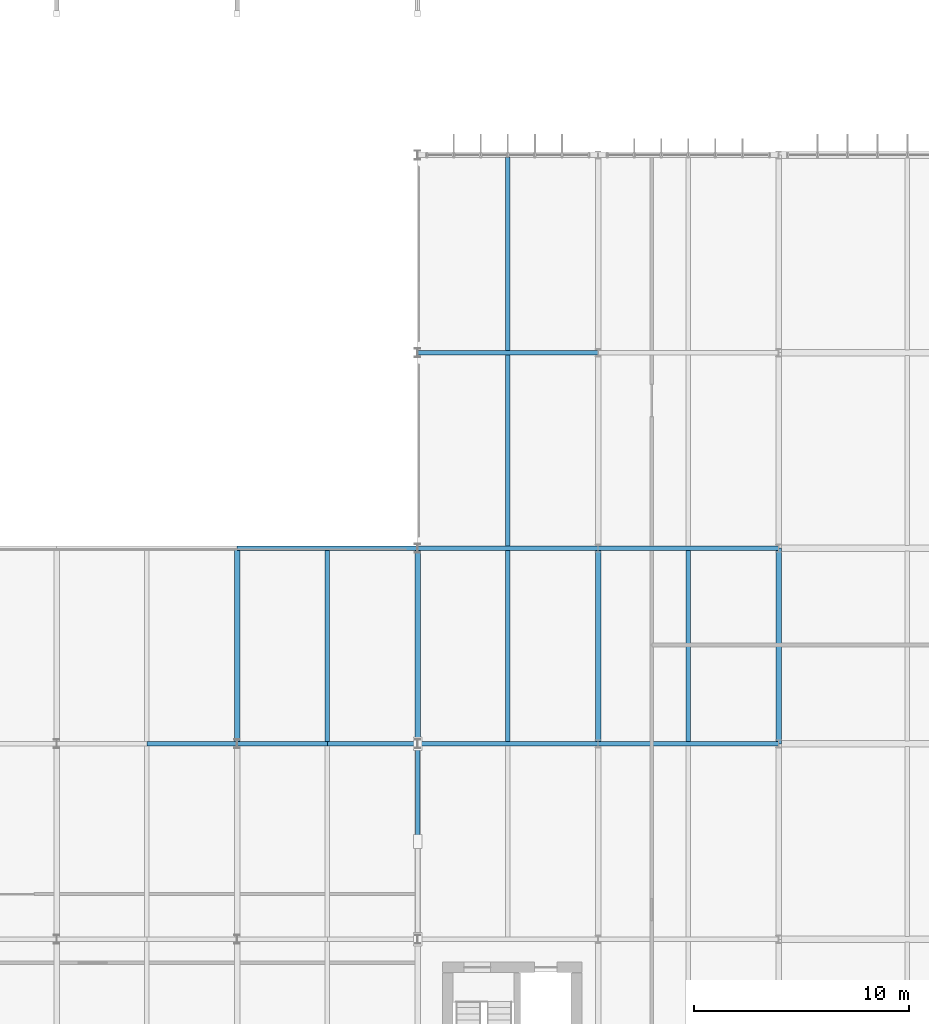
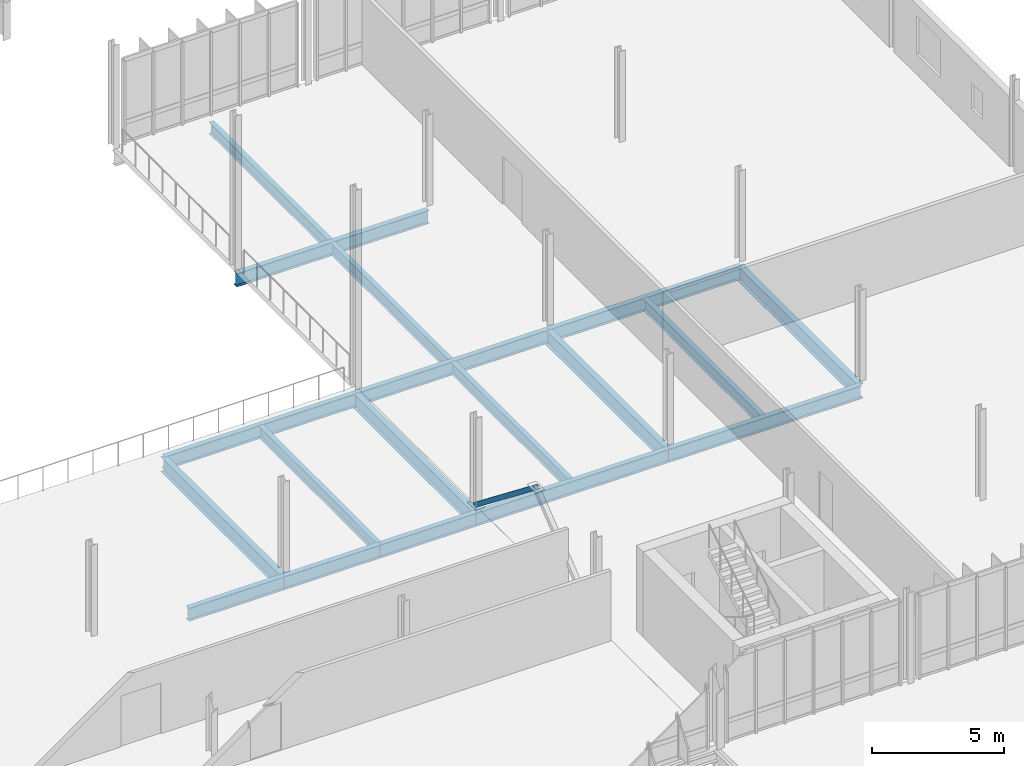
# One storey, part 66 of 107: 18 beams, 1 member.
"""IFC4 building model written with IfcOpenShell, lengths in metres."""

import ifcopenshell
import ifcopenshell.guid

model = None  # the IFC model being written
_history = None  # IfcOwnerHistory: only IFC2X3 demands one
_inside = {}  # id of a spatial element -> (the spatial element, [elements in it])
_under = {}  # id of a project, library or spatial element -> (it, [spatial elements below it])
_declared = {}  # id of a project -> (the project, [libraries it declares])
_typed = {}  # id of a type object -> (the type object, [elements of that type])
_made_of = {}  # id of a material, layer set ... -> (it, [elements and type objects made of it])


def new_model(schema):
    """Start an empty IFC model of exactly this schema.

    Asked for "IFC4X3", IfcOpenShell would pick the latest addendum, in which some entities
    have other attributes; the version numbers below select the first issue.
    IFC2X3 requires an IfcOwnerHistory on every rooted entity: one is made here for all.
    """
    global model, _history
    if schema == "IFC4X3":
        model = ifcopenshell.file(schema_version=(4, 3, 0, 0))
    else:
        model = ifcopenshell.file(schema=schema)
    _inside.clear()
    _under.clear()
    _declared.clear()
    _typed.clear()
    _made_of.clear()
    _history = None
    if model.schema == "IFC2X3":
        org = make("IfcOrganization", Name="unknown")
        user = make(
            "IfcPersonAndOrganization",
            ThePerson=make("IfcPerson", FamilyName="unknown"),
            TheOrganization=org,
        )
        app = make(
            "IfcApplication",
            ApplicationDeveloper=org,
            Version="unknown",
            ApplicationFullName="unknown",
            ApplicationIdentifier="unknown",
        )
        _history = make(
            "IfcOwnerHistory",
            OwningUser=user,
            OwningApplication=app,
            ChangeAction="ADDED",
            CreationDate=0,
        )
    return model


def make(cls, **values):
    """One entity of the class cls with the attributes given. An attribute that is None is left unset."""
    return model.create_entity(
        cls, **{name: value for name, value in values.items() if value is not None}
    )


def rooted(cls, **values):
    """An entity with a GlobalId (a new one), such as an element, a storey or a relation."""
    return make(cls, GlobalId=ifcopenshell.guid.new(), OwnerHistory=_history, **values)


def si_unit(unit_type, name, prefix=None):
    """IfcSIUnit, for example si_unit("LENGTHUNIT", "METRE", prefix="MILLI")."""
    return make("IfcSIUnit", UnitType=unit_type, Prefix=prefix, Name=name)


def derived_unit(unit_type, elements):
    """IfcDerivedUnit: a product of units, each with its exponent."""
    return make(
        "IfcDerivedUnit",
        Elements=[
            make("IfcDerivedUnitElement", Unit=unit, Exponent=power)
            for unit, power in elements
        ],
        UnitType=unit_type,
    )


def assignment(units):
    """IfcUnitAssignment: the units of a project."""
    return None if units is None else make("IfcUnitAssignment", Units=units)


def point(xyz):
    """IfcCartesianPoint."""
    return None if xyz is None else make("IfcCartesianPoint", Coordinates=xyz)


def direction(xyz):
    """IfcDirection."""
    return None if xyz is None else make("IfcDirection", DirectionRatios=xyz)


def frame(location, z_axis=None, x_axis=None):
    """IfcAxis2Placement3D, a coordinate frame: its origin and axes. An axis left out is left unset."""
    return make(
        "IfcAxis2Placement3D",
        Location=point(location),
        Axis=direction(z_axis),
        RefDirection=direction(x_axis),
    )


def frame_2d(location, x_axis=None):
    """IfcAxis2Placement2D, a coordinate frame in the plane: its origin and x axis."""
    return make(
        "IfcAxis2Placement2D", Location=point(location), RefDirection=direction(x_axis)
    )


def origin():
    """The frame at (0, 0, 0) with its axes left unset."""
    return frame((0.0, 0.0, 0.0))


def origin_2d():
    """The frame at (0, 0) in the plane with its x axis left unset."""
    return frame_2d((0.0, 0.0))


def place(relative_to, where):
    """IfcLocalPlacement: puts the frame where relative to a parent placement (None: the world)."""
    return make(
        "IfcLocalPlacement", PlacementRelTo=relative_to, RelativePlacement=where
    )


def context(
    kind, dimensions, precision=None, world=None, true_north=None, identifier=None
):
    """IfcGeometricRepresentationContext, for example the 3D "Model" context."""
    return make(
        "IfcGeometricRepresentationContext",
        ContextIdentifier=identifier,
        ContextType=kind,
        CoordinateSpaceDimension=dimensions,
        Precision=precision,
        WorldCoordinateSystem=world,
        TrueNorth=true_north,
    )


def subcontext(parent, identifier, kind, view, scale=None):
    """IfcGeometricRepresentationSubContext, for example "Body" below "Model"."""
    return make(
        "IfcGeometricRepresentationSubContext",
        ContextIdentifier=identifier,
        ContextType=kind,
        ParentContext=parent,
        TargetScale=scale,
        TargetView=view,
    )


def project(units=None, contexts=None):
    """IfcProject with its units and contexts."""
    return rooted(
        "IfcProject",
        Name="project",
        RepresentationContexts=contexts,
        UnitsInContext=assignment(units),
    )


def spatial(cls, under=None, at=None, **own):
    """A site, building, storey or space (cls), placed at a placement, below another one or the project."""
    s = rooted(cls, ObjectPlacement=at, **own)
    if under is not None:
        _under.setdefault(under.id(), (under, []))[1].append(s)
    return s


def profile(cls, at=None, kind="AREA", **sizes):
    """A parametric profile (cls). Its sizes go by their IFC names, for example OverallWidth=200.0."""
    return make(cls, ProfileType=kind, Position=at, **sizes)


def hollow_rectangle(**sizes):
    """IfcRectangleHollowProfileDef."""
    return profile("IfcRectangleHollowProfileDef", **sizes)


def i_section(**sizes):
    """IfcIShapeProfileDef."""
    return profile("IfcIShapeProfileDef", **sizes)


def extrude(swept, where, along, depth):
    """IfcExtrudedAreaSolid: the profile swept, set in the frame where, extruded along a direction by depth."""
    return make(
        "IfcExtrudedAreaSolid",
        SweptArea=swept,
        Position=where,
        ExtrudedDirection=direction(along),
        Depth=depth,
    )


def shape(context_of_items, identifier, shape_type, items):
    """IfcShapeRepresentation: the items that make up one representation, for example the "Body"."""
    return make(
        "IfcShapeRepresentation",
        ContextOfItems=context_of_items,
        RepresentationIdentifier=identifier,
        RepresentationType=shape_type,
        Items=items,
    )


def material(Name=None, Category=None):
    """IfcMaterial."""
    return make("IfcMaterial", Name=Name, Category=Category)


def material_profile(
    of_material, cross_section, Name=None, Category=None, Priority=None
):
    """IfcMaterialProfile: a cross section and its material."""
    return make(
        "IfcMaterialProfile",
        Name=Name,
        Material=of_material,
        Profile=cross_section,
        Priority=Priority,
        Category=Category,
    )


def profile_set(profiles, Name=None, composite=None):
    """IfcMaterialProfileSet."""
    return make(
        "IfcMaterialProfileSet",
        Name=Name,
        MaterialProfiles=profiles,
        CompositeProfile=composite,
    )


def made_of(thing, what):
    """Note that an element or type object is made of a material, layer set ...; save() writes the relation."""
    if what is not None:
        _made_of.setdefault(what.id(), (what, []))[1].append(thing)
    return thing


def type_object(cls, material=None, **own):
    """A type object (cls), such as IfcWallType, which elements share."""
    return made_of(rooted(cls, **own), material)


def element(
    cls,
    number,
    at=None,
    inside=None,
    cuts=None,
    type_object=None,
    material=None,
    context=None,
    identifier="Body",
    shape_type=None,
    held_by="IfcProductDefinitionShape",
    body=None,
    shapes=None,
    **own,
):
    """One element of the class cls, such as IfcWall. Its Tag is "e" and its number.

    at: its placement. inside: the storey or other place that contains it. cuts: it is an
    opening in that element (IfcRelVoidsElement). A single representation is given by context,
    identifier, shape_type and body (its items); several are given by shapes. held_by: the class
    of the entity that holds the representations. save() writes the other relations.
    """
    e = rooted(cls, Tag="e%d" % number, ObjectPlacement=at, **own)
    if body is not None:
        shapes = [shape(context, identifier, shape_type, body)]
    if shapes is not None:
        e.Representation = make(held_by, Representations=shapes)
    if inside is not None:
        _inside.setdefault(inside.id(), (inside, []))[1].append(e)
    if cuts is not None:
        rooted(
            "IfcRelVoidsElement", RelatingBuildingElement=cuts, RelatedOpeningElement=e
        )
    if type_object is not None:
        _typed.setdefault(type_object.id(), (type_object, []))[1].append(e)
    return made_of(e, material)


def aggregate(whole, parts):
    """IfcRelAggregates: a whole, such as a stair, and the parts it consists of."""
    return rooted("IfcRelAggregates", RelatingObject=whole, RelatedObjects=parts)


def save(model, path):
    """Write the relations noted so far, then the file.

    IfcRelAggregates (storeys below a building ...), IfcRelContainedInSpatialStructure (elements
    in a storey), IfcRelDefinesByType, IfcRelAssociatesMaterial and IfcRelDeclares: one each for
    every whole, place, type object, material and project.
    """
    for whole, parts in _under.values():
        aggregate(whole, parts)
    for where, things in _inside.values():
        rooted(
            "IfcRelContainedInSpatialStructure",
            RelatedElements=things,
            RelatingStructure=where,
        )
    for kind, things in _typed.values():
        rooted("IfcRelDefinesByType", RelatedObjects=things, RelatingType=kind)
    for what, things in _made_of.values():
        rooted("IfcRelAssociatesMaterial", RelatedObjects=things, RelatingMaterial=what)
    for by, libraries in _declared.values():
        rooted("IfcRelDeclares", RelatingContext=by, RelatedDefinitions=libraries)
    model.write(path)


model = new_model("IFC4")

# Units and contexts
model_context = context("Model", 3, precision=1e-05, world=origin(), true_north=direction((0.0, 1.0)))
body_context = subcontext(model_context, "Body", "Model", "MODEL_VIEW")
ifc_project = project(units=[si_unit("LENGTHUNIT", "METRE"), si_unit("AREAUNIT", "SQUARE_METRE"), si_unit("VOLUMEUNIT", "CUBIC_METRE"), si_unit("PLANEANGLEUNIT", "RADIAN"), si_unit("MASSUNIT", "GRAM", prefix="KILO"), derived_unit("THERMALTRANSMITTANCEUNIT", [(si_unit("MASSUNIT", "GRAM", prefix="KILO"), 1), (si_unit("TIMEUNIT", "SECOND"), -3), (si_unit("THERMODYNAMICTEMPERATUREUNIT", "KELVIN"), -1)])], contexts=[model_context])

# Site, building, storey
site_placement = place(None, origin())
site = spatial("IfcSite", under=ifc_project, at=site_placement, CompositionType="ELEMENT")
building_placement = place(site_placement, origin())
building = spatial("IfcBuilding", under=site, at=building_placement, Name="Makaiwela Harbour Ferry Terminal", CompositionType="ELEMENT")
storey_placement = place(building_placement, frame((0.0, 0.0, 9.60009765625)))
storey = spatial("IfcBuildingStorey", under=building, at=storey_placement, Name="L02", CompositionType="ELEMENT", Elevation=9.60009765625)

# Beams
ifc_material_1 = material(Name="Steel ASTM A992 Grade 50", Category="steel")
ifc_material_profile_1 = material_profile(ifc_material_1, i_section(OverallWidth=0.2099609375, OverallDepth=0.537109375, WebThickness=0.010986328125, FlangeThickness=0.017333984375, at=origin_2d()), Name="W21X68")
ifc_profile_set_1 = profile_set([ifc_material_profile_1], Name="Steel ASTM A992 Grade 50")
beam_type_1 = type_object("IfcBeamType", Name="STR-BM-W21X68", PredefinedType="BEAM", material=ifc_profile_set_1)
for number, where, z_axis, x_axis, name in (
    (1, (134.39990234375, 67.696533203125, -0.528564453125), (0.0, 1.0, 0.0), (-1.0, 0.0, 0.0), "Secondary floor beam 1520"),
    (2, (142.800048828125, 67.696533203125, -0.528564453125), (0.0, 1.0, 0.0), (-1.0, 0.0, 0.0), "Secondary floor beam 1528"),
):
    element("IfcBeam", number, at=place(storey_placement, frame(where, z_axis=z_axis, x_axis=x_axis)), inside=storey, type_object=beam_type_1, Name=name, PredefinedType="BEAM", context=body_context, shape_type="SweptSolid", body=[
        extrude(i_section(OverallWidth=0.2099609375, OverallDepth=0.537109375, WebThickness=0.010986328125, FlangeThickness=0.017333984375, at=origin_2d()), origin(), (0.0, 0.0, 1.0), 8.906982421875),
    ])
beam_1_placement = place(storey_placement, frame((142.800048828125, 76.79638671875, -0.528564453125), z_axis=(0.0, 1.0, 0.0), x_axis=(-1.0, 0.0, 0.0)))
element("IfcBeam", 3, at=beam_1_placement, inside=storey, type_object=beam_type_1, Name="Secondary floor beam 1529", PredefinedType="BEAM", context=body_context, shape_type="SweptSolid", body=[
    extrude(i_section(OverallWidth=0.2099609375, OverallDepth=0.537109375, WebThickness=0.010986328125, FlangeThickness=0.017333984375, at=origin_2d()), origin(), (0.0, 0.0, 1.0), 8.9072265625),
])
beam_2_placement = place(storey_placement, frame((142.800048828125, 85.896484375, -0.528564453125), z_axis=(0.0, 1.0, 0.0), x_axis=(-1.0, 0.0, 0.0)))
element("IfcBeam", 4, at=beam_2_placement, inside=storey, type_object=beam_type_1, Name="Secondary floor beam 1530", PredefinedType="BEAM", context=body_context, shape_type="SweptSolid", body=[
    extrude(i_section(OverallWidth=0.2099609375, OverallDepth=0.537109375, WebThickness=0.010986328125, FlangeThickness=0.017333984375, at=origin_2d()), origin(), (0.0, 0.0, 1.0), 9.007080078125),
])
beam_3_placement = place(storey_placement, frame((151.199951171875, 67.696533203125, -0.528564453125), z_axis=(0.0, 1.0, 0.0), x_axis=(-1.0, 0.0, 0.0)))
element("IfcBeam", 5, at=beam_3_placement, inside=storey, type_object=beam_type_1, Name="Secondary floor beam 1539", PredefinedType="BEAM", context=body_context, shape_type="SweptSolid", body=[
    extrude(i_section(OverallWidth=0.2099609375, OverallDepth=0.537109375, WebThickness=0.010986328125, FlangeThickness=0.017333984375, at=origin_2d()), origin(), (0.0, 0.0, 1.0), 8.906982421875),
])

# Member
ifc_material_2 = material(Name="Steel ASTM A500 Grade C", Category="steel")
ifc_material_profile_2 = material_profile(ifc_material_2, hollow_rectangle(XDim=0.202880859375, YDim=0.202880859375, WallThickness=0.01171875, at=origin_2d()), Name="HSS8X8X1/2")
ifc_profile_set_2 = profile_set([ifc_material_profile_2], Name="Steel ASTM A500 Grade C")
member_type = type_object("IfcMemberType", Name="STR-BRC-HSS8", PredefinedType="BRACE", material=ifc_profile_set_2)
member_placement = place(storey_placement, frame((138.60009765625, 67.60009765625, 0.0498046875), z_axis=(0.0, -0.787289229422, 0.6165838704), x_axis=(1.0, 0.0, 0.0)))
element("IfcMember", 6, at=member_placement, inside=storey, type_object=member_type, Name="Lateral chevron brace 8B", PredefinedType="BRACE", context=body_context, shape_type="SweptSolid", body=[
    extrude(hollow_rectangle(XDim=0.202880859375, YDim=0.202880859375, WallThickness=0.01171875, at=origin_2d()), origin(), (0.0, 0.0, 1.0), 5.779296875),
])

# Beams
ifc_material_profile_3 = material_profile(ifc_material_1, i_section(OverallWidth=0.22900390625, OverallDepth=0.612060546875, WebThickness=0.011962890625, FlangeThickness=0.01953125, at=origin_2d()), Name="W24X84")
ifc_profile_set_3 = profile_set([ifc_material_profile_3], Name="Steel ASTM A992 Grade 50")
beam_type_2 = type_object("IfcBeamType", Name="STR-GRD-W24X84", PredefinedType="USERDEFINED", material=ifc_profile_set_3)
for number, where, z_axis, x_axis, name in (
    (7, (126.0, 67.60009765625, -0.566162109375), (1.0, 0.0, 0.0), (0.0, 1.0, 0.0), "Primary X girder 1322"),
    (8, (130.199951171875, 67.60009765625, -0.566162109375), (1.0, 0.0, 0.0), (0.0, 1.0, 0.0), "Primary X girder 1323"),
):
    element("IfcBeam", number, at=place(storey_placement, frame(where, z_axis=z_axis, x_axis=x_axis)), inside=storey, type_object=beam_type_2, Name=name, ObjectType="GIRDER", PredefinedType="USERDEFINED", context=body_context, shape_type="SweptSolid", body=[
        extrude(i_section(OverallWidth=0.22900390625, OverallDepth=0.612060546875, WebThickness=0.011962890625, FlangeThickness=0.01953125, at=origin_2d()), origin(), (0.0, 0.0, 1.0), 4.199951171875),
    ])
beam_4_placement = place(storey_placement, frame((134.39990234375, 67.60009765625, -0.566162109375), z_axis=(1.0, 0.0, 0.0), x_axis=(0.0, 1.0, 0.0)))
element("IfcBeam", 9, at=beam_4_placement, inside=storey, type_object=beam_type_2, Name="Primary X girder 1324", ObjectType="GIRDER", PredefinedType="USERDEFINED", context=body_context, shape_type="SweptSolid", body=[
    extrude(i_section(OverallWidth=0.22900390625, OverallDepth=0.612060546875, WebThickness=0.011962890625, FlangeThickness=0.01953125, at=origin_2d()), origin(), (0.0, 0.0, 1.0), 4.2001953125),
])
for number, where, z_axis, x_axis, name in (
    (10, (138.60009765625, 67.60009765625, -0.566162109375), (1.0, 0.0, 0.0), (0.0, 1.0, 0.0), "Primary X girder 1325"),
    (11, (147.0, 67.60009765625, -0.566162109375), (1.0, 0.0, 0.0), (0.0, 1.0, 0.0), "Primary X girder 1326"),
):
    element("IfcBeam", number, at=place(storey_placement, frame(where, z_axis=z_axis, x_axis=x_axis)), inside=storey, type_object=beam_type_2, Name=name, ObjectType="GIRDER", PredefinedType="USERDEFINED", context=body_context, shape_type="SweptSolid", body=[
        extrude(i_section(OverallWidth=0.22900390625, OverallDepth=0.612060546875, WebThickness=0.011962890625, FlangeThickness=0.01953125, at=origin_2d()), origin(), (0.0, 0.0, 1.0), 8.39990234375),
    ])
beam_5_placement = place(storey_placement, frame((130.199951171875, 76.699951171875, -0.566162109375), z_axis=(1.0, 0.0, 0.0), x_axis=(0.0, 1.0, 0.0)))
element("IfcBeam", 12, at=beam_5_placement, inside=storey, type_object=beam_type_2, Name="Primary X girder 1336", ObjectType="GIRDER", PredefinedType="USERDEFINED", context=body_context, shape_type="SweptSolid", body=[
    extrude(i_section(OverallWidth=0.22900390625, OverallDepth=0.612060546875, WebThickness=0.011962890625, FlangeThickness=0.01953125, at=origin_2d()), origin(), (0.0, 0.0, 1.0), 8.400146484375),
])
for number, where, z_axis, x_axis, name in (
    (13, (138.60009765625, 76.699951171875, -0.566162109375), (1.0, 0.0, 0.0), (0.0, 1.0, 0.0), "Primary X girder 1337"),
    (14, (147.0, 76.699951171875, -0.566162109375), (1.0, 0.0, 0.0), (0.0, 1.0, 0.0), "Primary X girder 1338"),
    (15, (138.60009765625, 85.800048828125, -0.566162109375), (1.0, 0.0, 0.0), (0.0, 1.0, 0.0), "Primary X girder 1340"),
):
    element("IfcBeam", number, at=place(storey_placement, frame(where, z_axis=z_axis, x_axis=x_axis)), inside=storey, type_object=beam_type_2, Name=name, ObjectType="GIRDER", PredefinedType="USERDEFINED", context=body_context, shape_type="SweptSolid", body=[
        extrude(i_section(OverallWidth=0.22900390625, OverallDepth=0.612060546875, WebThickness=0.011962890625, FlangeThickness=0.01953125, at=origin_2d()), origin(), (0.0, 0.0, 1.0), 8.39990234375),
    ])
ifc_material_profile_4 = material_profile(ifc_material_1, i_section(OverallWidth=0.256103515625, OverallDepth=0.693115234375, WebThickness=0.014404296875, FlangeThickness=0.023681640625, at=origin_2d()), Name="W27X114")
ifc_profile_set_4 = profile_set([ifc_material_profile_4], Name="Steel ASTM A992 Grade 50")
beam_type_3 = type_object("IfcBeamType", Name="STR-GRD-W27X114", PredefinedType="USERDEFINED", material=ifc_profile_set_4)
for number, where, z_axis, x_axis, name in (
    (16, (130.199951171875, 67.60009765625, -0.606689453125), (0.0, 1.0, 0.0), (-1.0, 0.0, 0.0), "Primary Y girder 1418"),
    (17, (138.60009765625, 67.60009765625, -0.606689453125), (0.0, 1.0, 0.0), (-1.0, 0.0, 0.0), "Primary Y girder 1427"),
    (18, (147.0, 67.60009765625, -0.606689453125), (0.0, 1.0, 0.0), (-1.0, 0.0, 0.0), "Primary Y girder 1436"),
    (19, (155.39990234375, 67.60009765625, -0.606689453125), (0.0, 1.0, 0.0), (-1.0, 0.0, 0.0), "Primary Y girder 1447"),
):
    element("IfcBeam", number, at=place(storey_placement, frame(where, z_axis=z_axis, x_axis=x_axis)), inside=storey, type_object=beam_type_3, Name=name, ObjectType="GIRDER", PredefinedType="USERDEFINED", context=body_context, shape_type="SweptSolid", body=[
        extrude(i_section(OverallWidth=0.256103515625, OverallDepth=0.693115234375, WebThickness=0.014404296875, FlangeThickness=0.023681640625, at=origin_2d()), origin(), (0.0, 0.0, 1.0), 9.099853515625),
    ])

save(model, "model.ifc")
